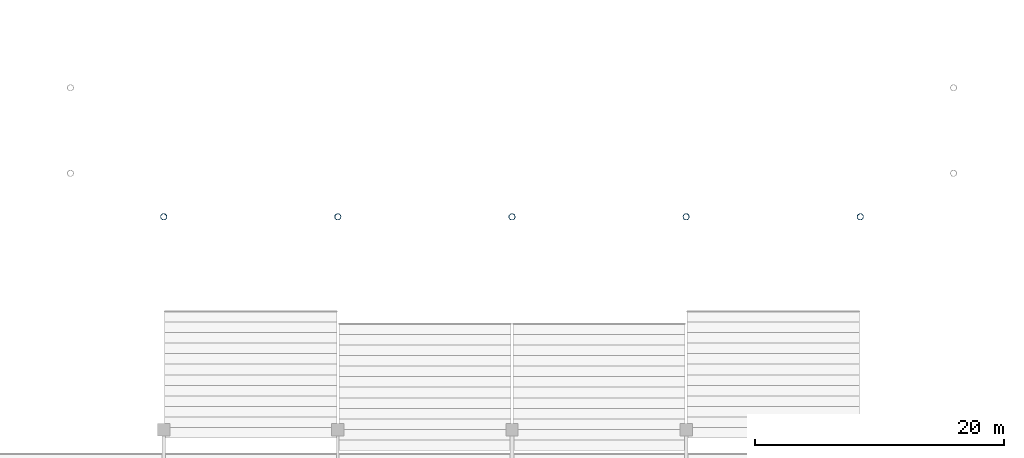
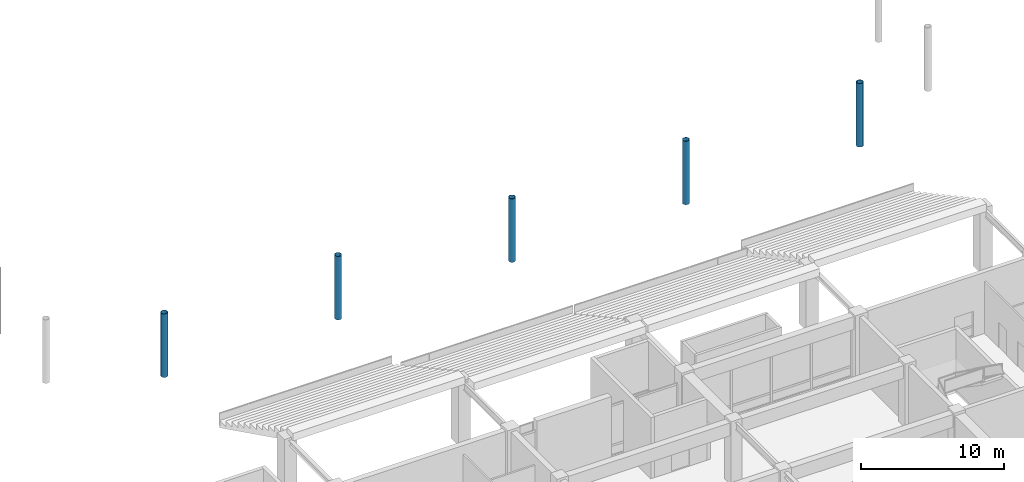
# One storey, part 5 of 117: 5 columns.
"""IFC4 building model written with IfcOpenShell, lengths in metres."""

from ifc_helpers import new_model, si_unit, direction, frame, origin, origin_2d, place, context, subcontext, project, spatial, hollow_circle, extrude, material, material_profile, profile_set, type_object, element, save


model = new_model("IFC4")

# Units and contexts
model_context = context("Model", 3, precision=1e-05, world=origin(), true_north=direction((0.0, 1.0)))
body_context = subcontext(model_context, "Body", "Model", "MODEL_VIEW")
ifc_project = project(units=[si_unit("LENGTHUNIT", "METRE"), si_unit("AREAUNIT", "SQUARE_METRE"), si_unit("VOLUMEUNIT", "CUBIC_METRE"), si_unit("PLANEANGLEUNIT", "RADIAN"), si_unit("MASSUNIT", "GRAM", prefix="KILO")], contexts=[model_context])

# Site, building, storey
site_placement = place(None, origin())
site = spatial("IfcSite", under=ifc_project, at=site_placement, CompositionType="ELEMENT")
building_placement = place(site_placement, origin())
building = spatial("IfcBuilding", under=site, at=building_placement, Name="Linyun Crest Stadium", CompositionType="ELEMENT")
storey_placement = place(building_placement, frame((0.0, 0.0, 6.0)))
storey = spatial("IfcBuildingStorey", under=building, at=storey_placement, Name="L02", CompositionType="ELEMENT", Elevation=6.0)

# Columns
ifc_material = material(Name="Steel Q355C", Category="steel")
ifc_material_profile = material_profile(ifc_material, hollow_circle(Radius=0.25390625, WallThickness=0.02490234375, at=origin_2d()), Name="CHS 508x25")
ifc_profile_set = profile_set([ifc_material_profile], Name="Steel Q355C")
column_type = type_object("IfcColumnType", Name="SC05", PredefinedType="COLUMN", material=ifc_profile_set)
for number, where, z_axis, x_axis, name in (
    (1, (-28.0, -49.5, 0.0), (0.0, 0.0, 1.0), (1.0, 0.0, 0.0), "Arch colonnade column SC05 L02 44"),
    (2, (-14.0, -49.5, 0.0), (0.0, 0.0, 1.0), (1.0, 0.0, 0.0), "Arch colonnade column SC05 L02 46"),
    (3, (0.0, -49.5, 0.0), (0.0, 0.0, 1.0), (1.0, 0.0, 0.0), "Arch colonnade column SC05 L02 48"),
    (4, (14.0, -49.5, 0.0), (0.0, 0.0, 1.0), (1.0, 0.0, 0.0), "Arch colonnade column SC05 L02 50"),
    (5, (28.0, -49.5, 0.0), (0.0, 0.0, 1.0), (1.0, 0.0, 0.0), "Arch colonnade column SC05 L02 52"),
):
    element("IfcColumn", number, at=place(storey_placement, frame(where, z_axis=z_axis, x_axis=x_axis)), inside=storey, type_object=column_type, Name=name, PredefinedType="COLUMN", context=body_context, shape_type="SweptSolid", body=[
        extrude(hollow_circle(Radius=0.25390625, WallThickness=0.02490234375, at=origin_2d()), origin(), (0.0, 0.0, 1.0), 5.39990234375),
    ])

save(model, "model.ifc")
